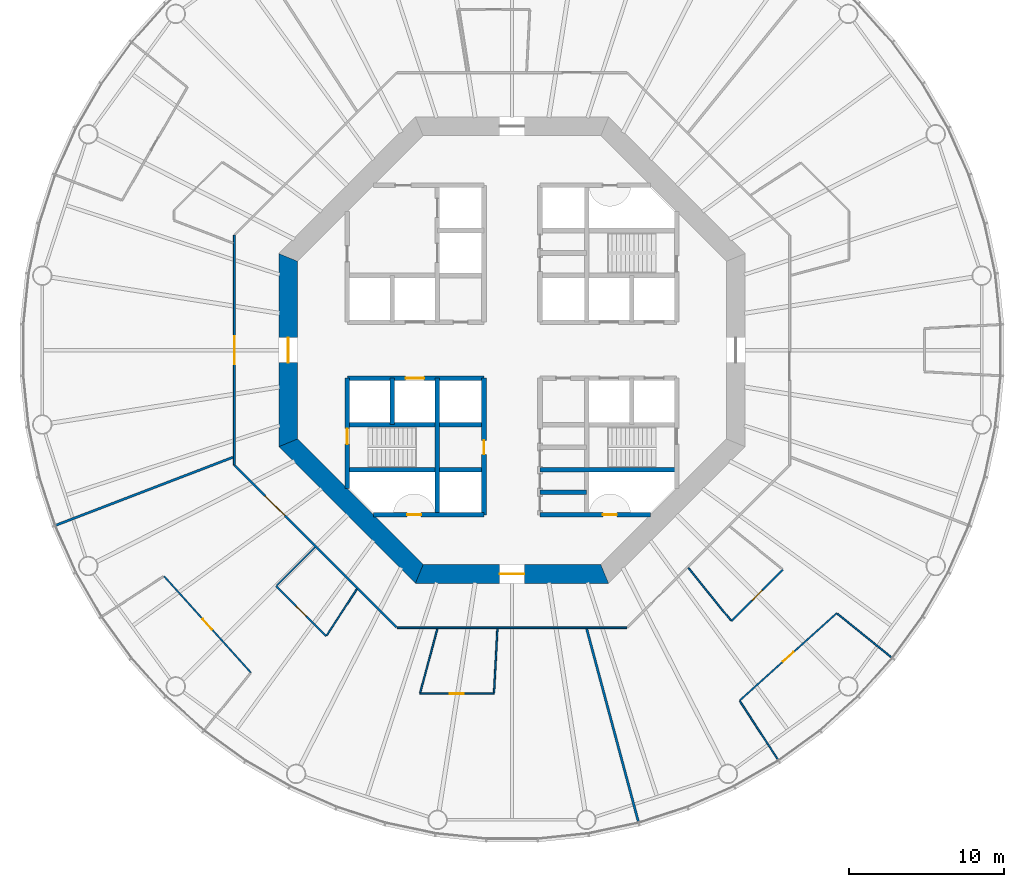
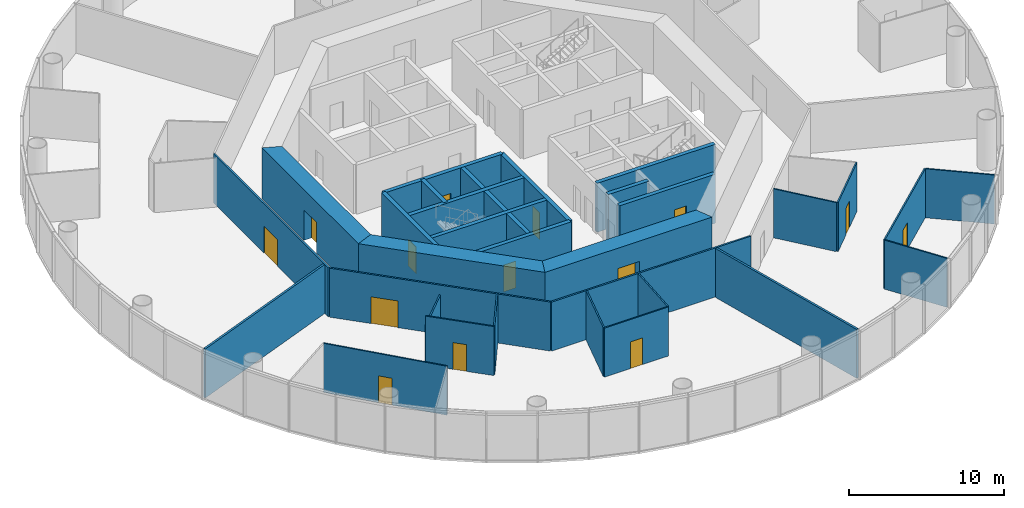
# One storey, part 3 of 13: 31 walls, 14 doors, 14 openings.
"""IFC4 building model written with IfcOpenShell, lengths in metres."""

from ifc_helpers import new_model, si_unit, direction, frame, frame_2d, origin, place, context, subcontext, project, spatial, polyline, rectangle, outline, extrude, material, layer, layer_set, type_object, element, fill, save


model = new_model("IFC4")

# Units and contexts
model_context = context("Model", 3, precision=1e-05, world=origin(), true_north=direction((0.0, 1.0)))
body_context = subcontext(model_context, "Body", "Model", "MODEL_VIEW")
ifc_project = project(units=[si_unit("LENGTHUNIT", "METRE"), si_unit("AREAUNIT", "SQUARE_METRE"), si_unit("VOLUMEUNIT", "CUBIC_METRE"), si_unit("PLANEANGLEUNIT", "RADIAN"), si_unit("MASSUNIT", "GRAM", prefix="KILO")], contexts=[model_context])

# Site, building, storey
site_placement = place(None, origin())
site = spatial("IfcSite", under=ifc_project, at=site_placement, CompositionType="ELEMENT")
building_placement = place(site_placement, origin())
building = spatial("IfcBuilding", under=site, at=building_placement, Name="Entoto Ring Tower", CompositionType="ELEMENT")
storey_placement = place(building_placement, frame((0.0, 0.0, 124.0)))
storey = spatial("IfcBuildingStorey", under=building, at=storey_placement, Name="L28", CompositionType="ELEMENT", Elevation=124.0)

# Wall, opening, door
ifc_material_1 = material(Name="Concrete C40/50", Category="concrete")
ifc_layer_1 = layer(ifc_material_1, 0.300048828125)
ifc_layer_set_1 = layer_set([ifc_layer_1], Name="Concrete C40/50")
wall_type_1 = type_object("IfcWallType", Name="Core enclosure wall 300 mm reinforced concrete", PredefinedType="SOLIDWALL", material=ifc_layer_set_1)
wall_1_placement = place(storey_placement, frame((88.199951171875, 69.39990234375, 0.0), z_axis=(0.0, 0.0, 1.0), x_axis=(0.0, 1.0, 0.0)))
wall_1 = element("IfcWall", 1, at=wall_1_placement, inside=storey, type_object=wall_type_1, Name="wall-L28-009", PredefinedType="SOLIDWALL", context=body_context, shape_type="SweptSolid", body=[
    extrude(rectangle(XDim=8.800048828125, YDim=0.300048828125, at=frame_2d((4.39990234375, 0.0))), origin(), (0.0, 0.0, 1.0), 3.85009765625),
])
opening_1_placement = place(wall_1_placement, frame((3.89990234375, 0.0, 0.0)))
opening_1 = element("IfcOpeningElement", 2, at=opening_1_placement, cuts=wall_1, Name="Opening K-57", PredefinedType="OPENING", context=body_context, shape_type="SweptSolid", body=[
    extrude(rectangle(XDim=0.89990234375, YDim=2.10009765625, at=frame_2d((0.449951171875, 1.050048828125))), frame((0.0, 0.16015625, 0.0), z_axis=(0.0, -1.0, 0.0), x_axis=(1.0, 0.0, 0.0)), (0.0, 0.0, 1.0), 0.320068359375),
])
ifc_material_2 = material(Name="Steel door leaf, fire rated", Category="steel")
ifc_layer_2 = layer(ifc_material_2, 0.050048828125)
ifc_layer_set_2 = layer_set([ifc_layer_2], Name="Steel door leaf, fire rated")
door_type_1 = type_object("IfcDoorType", Name="Core door 900 x 2100 single leaf", OperationType="NOTDEFINED", PredefinedType="DOOR", material=ifc_layer_set_2)
door_1_placement = place(opening_1_placement, origin())
door_1 = element("IfcDoor", 3, at=door_1_placement, inside=storey, type_object=door_type_1, Name="Door K-57", OperationType="SINGLE_SWING_RIGHT", OverallHeight=2.10009765625, OverallWidth=0.89990234375, PredefinedType="DOOR", context=body_context, shape_type="SweptSolid", body=[
    extrude(rectangle(XDim=0.89990234375, YDim=2.10009765625, at=frame_2d((0.449951171875, 1.050048828125))), frame((0.0, 0.02490234375, 0.0), z_axis=(0.0, -1.0, 0.0), x_axis=(1.0, 0.0, 0.0)), (0.0, 0.0, 1.0), 0.050048828125),
])
fill(opening_1, door_1)

# Walls
wall_2_placement = place(storey_placement, frame((85.199951171875, 69.39990234375, 0.0), z_axis=(0.0, 0.0, 1.0), x_axis=(0.0, 1.0, 0.0)))
element("IfcWall", 4, at=wall_2_placement, inside=storey, type_object=wall_type_1, Name="wall-L28-011", PredefinedType="SOLIDWALL", context=body_context, shape_type="SweptSolid", body=[
    extrude(rectangle(XDim=8.800048828125, YDim=0.300048828125, at=frame_2d((4.39990234375, 0.0))), origin(), (0.0, 0.0, 1.0), 3.85009765625),
])
wall_3_placement = place(storey_placement, frame((82.300048828125, 75.199951171875, 0.0), z_axis=(0.0, 0.0, 1.0), x_axis=(0.0, 1.0, 0.0)))
element("IfcWall", 5, at=wall_3_placement, inside=storey, type_object=wall_type_1, Name="wall-L28-013", PredefinedType="SOLIDWALL", context=body_context, shape_type="SweptSolid", body=[
    extrude(rectangle(XDim=3.0, YDim=0.300048828125, at=frame_2d((1.5, 0.0))), origin(), (0.0, 0.0, 1.0), 3.85009765625),
])

# Wall, opening, door
wall_4_placement = place(storey_placement, frame((79.39990234375, 71.083984375, 0.0), z_axis=(0.0, 0.0, 1.0), x_axis=(0.0, 1.0, 0.0)))
wall_4 = element("IfcWall", 6, at=wall_4_placement, inside=storey, type_object=wall_type_1, Name="wall-L28-015", PredefinedType="SOLIDWALL", context=body_context, shape_type="SweptSolid", body=[
    extrude(rectangle(XDim=7.115966796875, YDim=0.300048828125, at=frame_2d((3.55810546875, 0.0))), origin(), (0.0, 0.0, 1.0), 3.85009765625),
])
opening_2_placement = place(wall_4_placement, frame((2.8662109375, 0.0, 0.0)))
opening_2 = element("IfcOpeningElement", 7, at=opening_2_placement, cuts=wall_4, Name="Opening K-67", PredefinedType="OPENING", context=body_context, shape_type="SweptSolid", body=[
    extrude(rectangle(XDim=1.0, YDim=2.10009765625, at=frame_2d((0.5, 1.050048828125))), frame((0.0, 0.16015625, 0.0), z_axis=(0.0, -1.0, 0.0), x_axis=(1.0, 0.0, 0.0)), (0.0, 0.0, 1.0), 0.320068359375),
])
ifc_material_3 = material(Name="Steel door leaf, fire rated", Category="steel")
ifc_layer_3 = layer(ifc_material_3, 0.050048828125)
ifc_layer_set_3 = layer_set([ifc_layer_3], Name="Steel door leaf, fire rated")
door_type_2 = type_object("IfcDoorType", Name="Fire door FD60 1000 x 2100 single leaf", OperationType="NOTDEFINED", PredefinedType="DOOR", material=ifc_layer_set_3)
door_2_placement = place(opening_2_placement, frame((1.0, 0.0, 0.0), z_axis=(0.0, 0.0, 1.0), x_axis=(-1.0, 0.0, 0.0)))
door_2 = element("IfcDoor", 8, at=door_2_placement, inside=storey, type_object=door_type_2, Name="Door K-67", OperationType="SINGLE_SWING_LEFT", OverallHeight=2.10009765625, OverallWidth=1.0, PredefinedType="DOOR", context=body_context, shape_type="SweptSolid", body=[
    extrude(rectangle(XDim=1.0, YDim=2.10009765625, at=frame_2d((0.5, 1.050048828125))), frame((0.0, 0.02490234375, 0.0), z_axis=(0.0, -1.0, 0.0), x_axis=(1.0, 0.0, 0.0)), (0.0, 0.0, 1.0), 0.050048828125),
])
fill(opening_2, door_2)

wall_5_placement = place(storey_placement, frame((81.083984375, 69.39990234375, 0.0), z_axis=(0.0, 0.0, 1.0), x_axis=(1.0, 0.0, 0.0)))
wall_5 = element("IfcWall", 9, at=wall_5_placement, inside=storey, type_object=wall_type_1, Name="wall-L28-017", PredefinedType="SOLIDWALL", context=body_context, shape_type="SweptSolid", body=[
    extrude(rectangle(XDim=7.115966796875, YDim=0.300048828125, at=frame_2d((3.55810546875, 0.0))), origin(), (0.0, 0.0, 1.0), 3.85009765625),
])
opening_3_placement = place(wall_5_placement, frame((2.166015625, 0.0, 0.0)))
opening_3 = element("IfcOpeningElement", 10, at=opening_3_placement, cuts=wall_5, Name="Opening K-74", PredefinedType="OPENING", context=body_context, shape_type="SweptSolid", body=[
    extrude(rectangle(XDim=0.89990234375, YDim=2.10009765625, at=frame_2d((0.449951171875, 1.050048828125))), frame((0.0, 0.16015625, 0.0), z_axis=(0.0, -1.0, 0.0), x_axis=(1.0, 0.0, 0.0)), (0.0, 0.0, 1.0), 0.320068359375),
])
ifc_material_4 = material(Name="Steel door leaf, fire rated", Category="steel")
ifc_layer_4 = layer(ifc_material_4, 0.050048828125)
ifc_layer_set_4 = layer_set([ifc_layer_4], Name="Steel door leaf, fire rated")
door_type_3 = type_object("IfcDoorType", Name="Riser door FD60 900 x 2100 single leaf", OperationType="NOTDEFINED", PredefinedType="DOOR", material=ifc_layer_set_4)
door_3_placement = place(opening_3_placement, origin())
door_3 = element("IfcDoor", 11, at=door_3_placement, inside=storey, type_object=door_type_3, Name="Door K-74", OperationType="SINGLE_SWING_RIGHT", OverallHeight=2.10009765625, OverallWidth=0.89990234375, PredefinedType="DOOR", context=body_context, shape_type="SweptSolid", body=[
    extrude(rectangle(XDim=0.89990234375, YDim=2.10009765625, at=frame_2d((0.449951171875, 1.050048828125))), frame((0.0, 0.02490234375, 0.0), z_axis=(0.0, -1.0, 0.0), x_axis=(1.0, 0.0, 0.0)), (0.0, 0.0, 1.0), 0.050048828125),
])
fill(opening_3, door_3)

wall_6_placement = place(storey_placement, frame((91.800048828125, 69.39990234375, 0.0), z_axis=(0.0, 0.0, 1.0), x_axis=(1.0, 0.0, 0.0)))
wall_6 = element("IfcWall", 12, at=wall_6_placement, inside=storey, type_object=wall_type_1, Name="wall-L28-018", PredefinedType="SOLIDWALL", context=body_context, shape_type="SweptSolid", body=[
    extrude(rectangle(XDim=7.115966796875, YDim=0.300048828125, at=frame_2d((3.55810546875, 0.0))), origin(), (0.0, 0.0, 1.0), 3.85009765625),
])
opening_4_placement = place(wall_6_placement, frame((4.050048828125, 0.0, 0.0)))
opening_4 = element("IfcOpeningElement", 13, at=opening_4_placement, cuts=wall_6, Name="Opening K-75", PredefinedType="OPENING", context=body_context, shape_type="SweptSolid", body=[
    extrude(rectangle(XDim=0.89990234375, YDim=2.10009765625, at=frame_2d((0.449951171875, 1.050048828125))), frame((0.0, 0.16015625, 0.0), z_axis=(0.0, -1.0, 0.0), x_axis=(1.0, 0.0, 0.0)), (0.0, 0.0, 1.0), 0.320068359375),
])
door_4_placement = place(opening_4_placement, origin())
door_4 = element("IfcDoor", 14, at=door_4_placement, inside=storey, type_object=door_type_3, Name="Door K-75", OperationType="SINGLE_SWING_LEFT", OverallHeight=2.10009765625, OverallWidth=0.89990234375, PredefinedType="DOOR", context=body_context, shape_type="SweptSolid", body=[
    extrude(rectangle(XDim=0.89990234375, YDim=2.10009765625, at=frame_2d((0.449951171875, 1.050048828125))), frame((0.0, 0.02490234375, 0.0), z_axis=(0.0, -1.0, 0.0), x_axis=(1.0, 0.0, 0.0)), (0.0, 0.0, 1.0), 0.050048828125),
])
fill(opening_4, door_4)

# Walls
wall_7_placement = place(storey_placement, frame((91.800048828125, 70.85009765625, 0.0), z_axis=(0.0, 0.0, 1.0), x_axis=(1.0, 0.0, 0.0)))
element("IfcWall", 15, at=wall_7_placement, inside=storey, type_object=wall_type_1, Name="wall-L28-019", PredefinedType="SOLIDWALL", context=body_context, shape_type="SweptSolid", body=[
    extrude(rectangle(XDim=3.0, YDim=0.300048828125, at=frame_2d((1.5, 0.0))), origin(), (0.0, 0.0, 1.0), 3.85009765625),
])
for number, where, z_axis, x_axis, name in (
    (16, (79.39990234375, 72.300048828125, 0.0), (0.0, 0.0, 1.0), (1.0, 0.0, 0.0), "wall-L28-020"),
    (17, (91.800048828125, 72.300048828125, 0.0), (0.0, 0.0, 1.0), (1.0, 0.0, 0.0), "wall-L28-021"),
    (18, (79.39990234375, 75.199951171875, 0.0), (0.0, 0.0, 1.0), (1.0, 0.0, 0.0), "wall-L28-023"),
):
    element("IfcWall", number, at=place(storey_placement, frame(where, z_axis=z_axis, x_axis=x_axis)), inside=storey, type_object=wall_type_1, Name=name, PredefinedType="SOLIDWALL", context=body_context, shape_type="SweptSolid", body=[
        extrude(rectangle(XDim=8.800048828125, YDim=0.300048828125, at=frame_2d((4.39990234375, 0.0))), origin(), (0.0, 0.0, 1.0), 3.85009765625),
    ])

# Wall, opening, door
wall_8_placement = place(storey_placement, frame((79.39990234375, 78.199951171875, 0.0), z_axis=(0.0, 0.0, 1.0), x_axis=(1.0, 0.0, 0.0)))
wall_8 = element("IfcWall", 19, at=wall_8_placement, inside=storey, type_object=wall_type_1, Name="wall-L28-025", PredefinedType="SOLIDWALL", context=body_context, shape_type="SweptSolid", body=[
    extrude(rectangle(XDim=8.800048828125, YDim=0.300048828125, at=frame_2d((4.39990234375, 0.0))), origin(), (0.0, 0.0, 1.0), 3.85009765625),
])
opening_5_placement = place(wall_8_placement, frame((3.75, 0.0, 0.0)))
opening_5 = element("IfcOpeningElement", 20, at=opening_5_placement, cuts=wall_8, Name="Opening LD", PredefinedType="OPENING", context=body_context, shape_type="SweptSolid", body=[
    extrude(rectangle(XDim=1.199951171875, YDim=2.10009765625, at=frame_2d((0.60009765625, 1.050048828125))), frame((0.0, 0.16015625, 0.0), z_axis=(0.0, -1.0, 0.0), x_axis=(1.0, 0.0, 0.0)), (0.0, 0.0, 1.0), 0.320068359375),
])
ifc_material_5 = material(Name="Steel and glass door leaf", Category="steel")
ifc_layer_5 = layer(ifc_material_5, 0.050048828125)
ifc_layer_set_5 = layer_set([ifc_layer_5], Name="Steel and glass door leaf")
door_type_4 = type_object("IfcDoorType", Name="Landing door 1200 x 2100 sliding", OperationType="DOUBLE_DOOR_SLIDING", PredefinedType="DOOR", material=ifc_layer_set_5)
door_5_placement = place(opening_5_placement, origin())
door_5 = element("IfcDoor", 21, at=door_5_placement, inside=storey, type_object=door_type_4, Name="Landing door LB6-LR", OperationType="SLIDING_TO_RIGHT", OverallHeight=2.10009765625, OverallWidth=1.199951171875, PredefinedType="DOOR", context=body_context, shape_type="SweptSolid", body=[
    extrude(rectangle(XDim=1.199951171875, YDim=2.10009765625, at=frame_2d((0.60009765625, 1.050048828125))), frame((0.0, 0.02490234375, 0.0), z_axis=(0.0, -1.0, 0.0), x_axis=(1.0, 0.0, 0.0)), (0.0, 0.0, 1.0), 0.050048828125),
])
fill(opening_5, door_5)

ifc_material_6 = material(Name="Concrete C60/75", Category="concrete")
ifc_layer_6 = layer(ifc_material_6, 1.199951171875)
ifc_layer_set_6 = layer_set([ifc_layer_6], Name="Concrete C60/75")
wall_type_2 = type_object("IfcWallType", Name="Core shear wall 1200 mm reinforced concrete C60/75", PredefinedType="SHEAR", material=ifc_layer_set_6)
wall_9_placement = place(storey_placement, frame((75.60009765625, 85.964599609375, 0.0), z_axis=(0.0, 0.0, 1.0), x_axis=(0.0, -1.0, 0.0)))
wall_9 = element("IfcWall", 22, at=wall_9_placement, inside=storey, type_object=wall_type_2, Name="wall-L28-core-4", PredefinedType="SHEAR", context=body_context, shape_type="SweptSolid", body=[
    extrude(outline(polyline([(-0.24853515625, -0.60009765625), (12.177734375, -0.60009765625), (11.6806640625, 0.60009765625), (0.24853515625, 0.60009765625), (-0.24853515625, -0.60009765625)])), origin(), (0.0, 0.0, 1.0), 4.0),
])
opening_6_placement = place(wall_9_placement, frame((5.164794921875, 0.0, 0.0)))
opening_6 = element("IfcOpeningElement", 23, at=opening_6_placement, cuts=wall_9, Name="Opening K-03", PredefinedType="OPENING", context=body_context, shape_type="SweptSolid", body=[
    extrude(rectangle(XDim=1.60009765625, YDim=2.39990234375, at=frame_2d((0.800048828125, 1.199951171875))), frame((0.0, 0.60986328125, 0.0), z_axis=(0.0, -1.0, 0.0), x_axis=(1.0, 0.0, 0.0)), (0.0, 0.0, 1.0), 1.219970703125),
])
ifc_material_7 = material(Name="Steel door leaf, fire rated", Category="steel")
ifc_layer_7 = layer(ifc_material_7, 0.050048828125)
ifc_layer_set_7 = layer_set([ifc_layer_7], Name="Steel door leaf, fire rated")
door_type_5 = type_object("IfcDoorType", Name="Entrance door FD60 1600 x 2400 double leaf", OperationType="DOUBLE_DOOR_SINGLE_SWING", PredefinedType="DOOR", material=ifc_layer_set_7)
door_6_placement = place(opening_6_placement, origin())
door_6 = element("IfcDoor", 24, at=door_6_placement, inside=storey, type_object=door_type_5, Name="Entrance door K-03", OperationType="DOUBLE_DOOR_SINGLE_SWING", OverallHeight=2.39990234375, OverallWidth=1.60009765625, PredefinedType="DOOR", context=body_context, shape_type="SweptSolid", body=[
    extrude(rectangle(XDim=1.60009765625, YDim=2.39990234375, at=frame_2d((0.800048828125, 1.199951171875))), frame((0.0, 0.02490234375, 0.0), z_axis=(0.0, -1.0, 0.0), x_axis=(1.0, 0.0, 0.0)), (0.0, 0.0, 1.0), 0.050048828125),
])
fill(opening_6, door_6)

# Wall
wall_10_placement = place(storey_placement, frame((75.60009765625, 74.035400390625, 0.0), z_axis=(0.0, 0.0, 1.0), x_axis=(0.707106781187, -0.707106781187, 0.0)))
element("IfcWall", 25, at=wall_10_placement, inside=storey, type_object=wall_type_2, Name="wall-L28-core-5", PredefinedType="SHEAR", context=body_context, shape_type="SweptSolid", body=[
    extrude(outline(polyline([(-0.24853515625, -0.60009765625), (12.177734375, -0.60009765625), (11.6806640625, 0.60009765625), (0.24853515625, 0.60009765625), (-0.24853515625, -0.60009765625)])), origin(), (0.0, 0.0, 1.0), 4.0),
])

# Wall, opening, door
wall_11_placement = place(storey_placement, frame((84.035400390625, 65.60009765625, 0.0), z_axis=(0.0, 0.0, 1.0), x_axis=(1.0, 0.0, 0.0)))
wall_11 = element("IfcWall", 26, at=wall_11_placement, inside=storey, type_object=wall_type_2, Name="wall-L28-core-6", PredefinedType="SHEAR", context=body_context, shape_type="SweptSolid", body=[
    extrude(outline(polyline([(-0.24853515625, -0.60009765625), (12.177734375, -0.60009765625), (11.6806640625, 0.60009765625), (0.24853515625, 0.60009765625), (-0.24853515625, -0.60009765625)])), origin(), (0.0, 0.0, 1.0), 4.0),
])
opening_7_placement = place(wall_11_placement, frame((5.164794921875, 0.0, 0.0)))
opening_7 = element("IfcOpeningElement", 27, at=opening_7_placement, cuts=wall_11, Name="Opening K-04", PredefinedType="OPENING", context=body_context, shape_type="SweptSolid", body=[
    extrude(rectangle(XDim=1.60009765625, YDim=2.39990234375, at=frame_2d((0.800048828125, 1.199951171875))), frame((0.0, 0.60986328125, 0.0), z_axis=(0.0, -1.0, 0.0), x_axis=(1.0, 0.0, 0.0)), (0.0, 0.0, 1.0), 1.219970703125),
])
door_7_placement = place(opening_7_placement, origin())
door_7 = element("IfcDoor", 28, at=door_7_placement, inside=storey, type_object=door_type_5, Name="Entrance door K-04", OperationType="DOUBLE_DOOR_SINGLE_SWING", OverallHeight=2.39990234375, OverallWidth=1.60009765625, PredefinedType="DOOR", context=body_context, shape_type="SweptSolid", body=[
    extrude(rectangle(XDim=1.60009765625, YDim=2.39990234375, at=frame_2d((0.800048828125, 1.199951171875))), frame((0.0, 0.02490234375, 0.0), z_axis=(0.0, -1.0, 0.0), x_axis=(1.0, 0.0, 0.0)), (0.0, 0.0, 1.0), 0.050048828125),
])
fill(opening_7, door_7)

ifc_material_8 = material(Name="Fire-resisting plasterboard on steel studs", Category="steel")
ifc_layer_8 = layer(ifc_material_8, 0.125)
ifc_layer_set_8 = layer_set([ifc_layer_8], Name="Fire-resisting plasterboard on steel studs")
wall_type_3 = type_object("IfcWallType", Name="Corridor wall 125 mm one-hour plasterboard on steel studs", PredefinedType="PARTITIONING", material=ifc_layer_set_8)
wall_12_placement = place(storey_placement, frame((72.137451171875, 72.60107421875, 0.0), z_axis=(0.0, 0.0, 1.0), x_axis=(0.0, 1.0, 0.0)))
wall_12 = element("IfcWall", 29, at=wall_12_placement, inside=storey, type_object=wall_type_3, Name="partition-L28-001", PredefinedType="PARTITIONING", context=body_context, shape_type="SweptSolid", body=[
    extrude(rectangle(XDim=14.7978515625, YDim=0.125, at=frame_2d((7.39892578125, 0.0))), origin(), (0.0, 0.0, 1.0), 3.85009765625),
])
opening_8_placement = place(wall_12_placement, frame((6.498779296875, 0.0, 0.0)))
opening_8 = element("IfcOpeningElement", 30, at=opening_8_placement, cuts=wall_12, Name="Opening A11-D07", PredefinedType="OPENING", context=body_context, shape_type="SweptSolid", body=[
    extrude(rectangle(XDim=1.800048828125, YDim=2.10009765625, at=frame_2d((0.89990234375, 1.050048828125))), frame((0.0, 0.072509765625, 0.0), z_axis=(0.0, -1.0, 0.0), x_axis=(1.0, 0.0, 0.0)), (0.0, 0.0, 1.0), 0.14501953125),
])
ifc_material_9 = material(Name="Fire-resisting timber door set", Category="wood")
door_type_6 = type_object("IfcDoorType", Name="Door 1800 x 2100 double leaf FD30S fire door", OperationType="DOUBLE_DOOR_SINGLE_SWING", PredefinedType="DOOR", material=ifc_material_9)
door_8_placement = place(opening_8_placement, origin())
door_8 = element("IfcDoor", 31, at=door_8_placement, inside=storey, type_object=door_type_6, Name="Door A11-D07", OperationType="DOUBLE_DOOR_SINGLE_SWING", OverallHeight=2.10009765625, OverallWidth=1.800048828125, PredefinedType="DOOR", context=body_context, shape_type="SweptSolid", body=[
    extrude(rectangle(XDim=1.800048828125, YDim=2.10009765625, at=frame_2d((0.89990234375, 1.050048828125))), frame((0.0, 0.02490234375, 0.0), z_axis=(0.0, -1.0, 0.0), x_axis=(1.0, 0.0, 0.0)), (0.0, 0.0, 1.0), 0.050048828125),
])
fill(opening_8, door_8)

# Wall
wall_13_placement = place(storey_placement, frame((82.60107421875, 62.137451171875, 0.0), z_axis=(0.0, 0.0, 1.0), x_axis=(1.0, 0.0, 0.0)))
element("IfcWall", 32, at=wall_13_placement, inside=storey, type_object=wall_type_3, Name="partition-L28-002", PredefinedType="PARTITIONING", context=body_context, shape_type="SweptSolid", body=[
    extrude(rectangle(XDim=14.7978515625, YDim=0.125, at=frame_2d((7.39892578125, 0.0))), origin(), (0.0, 0.0, 1.0), 3.85009765625),
])

# Wall, opening, door
wall_14_placement = place(storey_placement, frame((82.570068359375, 62.168701171875, 0.0), z_axis=(0.0, 0.0, 1.0), x_axis=(-0.707106781187, 0.707106781187, 0.0)))
wall_14 = element("IfcWall", 33, at=wall_14_placement, inside=storey, type_object=wall_type_3, Name="partition-L28-006", PredefinedType="PARTITIONING", context=body_context, shape_type="SweptSolid", body=[
    extrude(rectangle(XDim=14.709716796875, YDim=0.125, at=frame_2d((7.35498046875, 0.0))), origin(), (0.0, 0.0, 1.0), 3.85009765625),
])
opening_9_placement = place(wall_14_placement, frame((10.154296875, 0.0, 0.0)))
opening_9 = element("IfcOpeningElement", 34, at=opening_9_placement, cuts=wall_14, Name="Opening A11-D10", PredefinedType="OPENING", context=body_context, shape_type="SweptSolid", body=[
    extrude(rectangle(XDim=1.800048828125, YDim=2.10009765625, at=frame_2d((0.89990234375, 1.050048828125))), frame((0.0, 0.072509765625, 0.0), z_axis=(0.0, -1.0, 0.0), x_axis=(1.0, 0.0, 0.0)), (0.0, 0.0, 1.0), 0.14501953125),
])
door_9_placement = place(opening_9_placement, origin())
door_9 = element("IfcDoor", 35, at=door_9_placement, inside=storey, type_object=door_type_6, Name="Door A11-D10", OperationType="DOUBLE_DOOR_SINGLE_SWING", OverallHeight=2.10009765625, OverallWidth=1.800048828125, PredefinedType="DOOR", context=body_context, shape_type="SweptSolid", body=[
    extrude(rectangle(XDim=1.800048828125, YDim=2.10009765625, at=frame_2d((0.89990234375, 1.050048828125))), frame((0.0, 0.02490234375, 0.0), z_axis=(0.0, -1.0, 0.0), x_axis=(1.0, 0.0, 0.0)), (0.0, 0.0, 1.0), 0.050048828125),
])
fill(opening_9, door_9)

ifc_material_10 = material(Name="Plasterboard on steel studs", Category="steel")
ifc_layer_9 = layer(ifc_material_10, 0.10009765625)
ifc_layer_set_9 = layer_set([ifc_layer_9], Name="Plasterboard on steel studs")
wall_type_4 = type_object("IfcWallType", Name="Partition 100 mm plasterboard on steel studs", PredefinedType="PARTITIONING", material=ifc_layer_set_9)
wall_15_placement = place(storey_placement, frame((104.645263671875, 57.447998046875, 0.0), z_axis=(0.0, 0.0, 1.0), x_axis=(0.7431368482, 0.669139465916, 0.0)))
wall_15 = element("IfcWall", 36, at=wall_15_placement, inside=storey, type_object=wall_type_4, Name="partition-L28-014", PredefinedType="PARTITIONING", context=body_context, shape_type="SweptSolid", body=[
    extrude(rectangle(XDim=8.413330078125, YDim=0.10009765625, at=frame_2d((4.20654296875, 0.0))), origin(), (0.0, 0.0, 1.0), 3.85009765625),
])
opening_10_placement = place(wall_15_placement, frame((3.756591796875, 0.0, 0.0)))
opening_10 = element("IfcOpeningElement", 37, at=opening_10_placement, cuts=wall_15, Name="Opening A11-D16", PredefinedType="OPENING", context=body_context, shape_type="SweptSolid", body=[
    extrude(rectangle(XDim=0.89990234375, YDim=2.10009765625, at=frame_2d((0.449951171875, 1.050048828125))), frame((0.0, 0.06005859375, 0.0), z_axis=(0.0, -1.0, 0.0), x_axis=(1.0, 0.0, 0.0)), (0.0, 0.0, 1.0), 0.1201171875),
])
ifc_material_11 = material(Name="Veneered timber door leaf in timber frame", Category="wood")
door_type_7 = type_object("IfcDoorType", Name="Door 900 x 2100 single leaf timber veneer", OperationType="NOTDEFINED", PredefinedType="DOOR", material=ifc_material_11)
door_10_placement = place(opening_10_placement, frame((0.89990234375, 0.0, 0.0), z_axis=(0.0, 0.0, 1.0), x_axis=(-1.0, 0.0, 0.0)))
door_10 = element("IfcDoor", 38, at=door_10_placement, inside=storey, type_object=door_type_7, Name="Door A11-D16", OperationType="SINGLE_SWING_RIGHT", OverallHeight=2.10009765625, OverallWidth=0.89990234375, PredefinedType="DOOR", context=body_context, shape_type="SweptSolid", body=[
    extrude(rectangle(XDim=0.89990234375, YDim=2.10009765625, at=frame_2d((0.449951171875, 1.050048828125))), frame((0.0, 0.02490234375, 0.0), z_axis=(0.0, -1.0, 0.0), x_axis=(1.0, 0.0, 0.0)), (0.0, 0.0, 1.0), 0.050048828125),
])
fill(opening_10, door_10)

wall_16_placement = place(storey_placement, frame((73.197021484375, 59.250244140625, 0.0), z_axis=(0.0, 0.0, 1.0), x_axis=(-0.669137488158, 0.74313862902, 0.0)))
wall_16 = element("IfcWall", 39, at=wall_16_placement, inside=storey, type_object=wall_type_4, Name="partition-L28-016", PredefinedType="PARTITIONING", context=body_context, shape_type="SweptSolid", body=[
    extrude(rectangle(XDim=8.353515625, YDim=0.10009765625, at=frame_2d((4.1767578125, 0.0))), origin(), (0.0, 0.0, 1.0), 3.85009765625),
])
opening_11_placement = place(wall_16_placement, frame((3.726806640625, 0.0, 0.0)))
opening_11 = element("IfcOpeningElement", 40, at=opening_11_placement, cuts=wall_16, Name="Opening A11-D13", PredefinedType="OPENING", context=body_context, shape_type="SweptSolid", body=[
    extrude(rectangle(XDim=0.89990234375, YDim=2.10009765625, at=frame_2d((0.449951171875, 1.050048828125))), frame((0.0, 0.06005859375, 0.0), z_axis=(0.0, -1.0, 0.0), x_axis=(1.0, 0.0, 0.0)), (0.0, 0.0, 1.0), 0.1201171875),
])
door_11_placement = place(opening_11_placement, origin())
door_11 = element("IfcDoor", 41, at=door_11_placement, inside=storey, type_object=door_type_7, Name="Door A11-D13", OperationType="SINGLE_SWING_RIGHT", OverallHeight=2.10009765625, OverallWidth=0.89990234375, PredefinedType="DOOR", context=body_context, shape_type="SweptSolid", body=[
    extrude(rectangle(XDim=0.89990234375, YDim=2.10009765625, at=frame_2d((0.449951171875, 1.050048828125))), frame((0.0, 0.02490234375, 0.0), z_axis=(0.0, -1.0, 0.0), x_axis=(1.0, 0.0, 0.0)), (0.0, 0.0, 1.0), 0.050048828125),
])
fill(opening_11, door_11)

wall_17_placement = place(storey_placement, frame((84.07763671875, 57.8974609375, 0.0), z_axis=(0.0, 0.0, 1.0), x_axis=(1.0, 0.0, 0.0)))
wall_17 = element("IfcWall", 42, at=wall_17_placement, inside=storey, type_object=wall_type_4, Name="partition-L28-022", PredefinedType="PARTITIONING", context=body_context, shape_type="SweptSolid", body=[
    extrude(rectangle(XDim=4.76416015625, YDim=0.10009765625, at=frame_2d((2.382080078125, 0.0))), origin(), (0.0, 0.0, 1.0), 3.85009765625),
])
opening_12_placement = place(wall_17_placement, frame((1.931884765625, 0.0, 0.0)))
opening_12 = element("IfcOpeningElement", 43, at=opening_12_placement, cuts=wall_17, Name="Opening A11-D12", PredefinedType="OPENING", context=body_context, shape_type="SweptSolid", body=[
    extrude(rectangle(XDim=0.89990234375, YDim=2.10009765625, at=frame_2d((0.449951171875, 1.050048828125))), frame((0.0, 0.06005859375, 0.0), z_axis=(0.0, -1.0, 0.0), x_axis=(1.0, 0.0, 0.0)), (0.0, 0.0, 1.0), 0.1201171875),
])
door_12_placement = place(opening_12_placement, origin())
door_12 = element("IfcDoor", 44, at=door_12_placement, inside=storey, type_object=door_type_7, Name="Door A11-D12", OperationType="SINGLE_SWING_LEFT", OverallHeight=2.10009765625, OverallWidth=0.89990234375, PredefinedType="DOOR", context=body_context, shape_type="SweptSolid", body=[
    extrude(rectangle(XDim=0.89990234375, YDim=2.10009765625, at=frame_2d((0.449951171875, 1.050048828125))), frame((0.0, 0.02490234375, 0.0), z_axis=(0.0, -1.0, 0.0), x_axis=(1.0, 0.0, 0.0)), (0.0, 0.0, 1.0), 0.050048828125),
])
fill(opening_12, door_12)

wall_18_placement = place(storey_placement, frame((104.119140625, 62.564453125, 0.0), z_axis=(0.0, 0.0, 1.0), x_axis=(0.707106781187, 0.707106781187, 0.0)))
wall_18 = element("IfcWall", 45, at=wall_18_placement, inside=storey, type_object=wall_type_4, Name="partition-L28-025", PredefinedType="PARTITIONING", context=body_context, shape_type="SweptSolid", body=[
    extrude(rectangle(XDim=4.690185546875, YDim=0.10009765625, at=frame_2d((2.34521484375, 0.0))), origin(), (0.0, 0.0, 1.0), 3.85009765625),
])
opening_13_placement = place(wall_18_placement, frame((1.89501953125, 0.0, 0.0)))
opening_13 = element("IfcOpeningElement", 46, at=opening_13_placement, cuts=wall_18, Name="Opening A11-D15", PredefinedType="OPENING", context=body_context, shape_type="SweptSolid", body=[
    extrude(rectangle(XDim=0.89990234375, YDim=2.10009765625, at=frame_2d((0.449951171875, 1.050048828125))), frame((0.0, 0.06005859375, 0.0), z_axis=(0.0, -1.0, 0.0), x_axis=(1.0, 0.0, 0.0)), (0.0, 0.0, 1.0), 0.1201171875),
])
door_13_placement = place(opening_13_placement, origin())
door_13 = element("IfcDoor", 47, at=door_13_placement, inside=storey, type_object=door_type_7, Name="Door A11-D15", OperationType="SINGLE_SWING_LEFT", OverallHeight=2.10009765625, OverallWidth=0.89990234375, PredefinedType="DOOR", context=body_context, shape_type="SweptSolid", body=[
    extrude(rectangle(XDim=0.89990234375, YDim=2.10009765625, at=frame_2d((0.449951171875, 1.050048828125))), frame((0.0, 0.02490234375, 0.0), z_axis=(0.0, -1.0, 0.0), x_axis=(1.0, 0.0, 0.0)), (0.0, 0.0, 1.0), 0.050048828125),
])
fill(opening_13, door_13)

wall_19_placement = place(storey_placement, frame((78.0439453125, 61.58935546875, 0.0), z_axis=(0.0, 0.0, 1.0), x_axis=(-0.707106781187, 0.707106781187, 0.0)))
wall_19 = element("IfcWall", 48, at=wall_19_placement, inside=storey, type_object=wall_type_4, Name="partition-L28-027", PredefinedType="PARTITIONING", context=body_context, shape_type="SweptSolid", body=[
    extrude(rectangle(XDim=4.56396484375, YDim=0.10009765625, at=frame_2d((2.281982421875, 0.0))), origin(), (0.0, 0.0, 1.0), 3.85009765625),
])
opening_14_placement = place(wall_19_placement, frame((1.83203125, 0.0, 0.0)))
opening_14 = element("IfcOpeningElement", 49, at=opening_14_placement, cuts=wall_19, Name="Opening A11-D11", PredefinedType="OPENING", context=body_context, shape_type="SweptSolid", body=[
    extrude(rectangle(XDim=0.89990234375, YDim=2.10009765625, at=frame_2d((0.449951171875, 1.050048828125))), frame((0.0, 0.06005859375, 0.0), z_axis=(0.0, -1.0, 0.0), x_axis=(1.0, 0.0, 0.0)), (0.0, 0.0, 1.0), 0.1201171875),
])
door_14_placement = place(opening_14_placement, frame((0.89990234375, 0.0, 0.0), z_axis=(0.0, 0.0, 1.0), x_axis=(-1.0, 0.0, 0.0)))
door_14 = element("IfcDoor", 50, at=door_14_placement, inside=storey, type_object=door_type_7, Name="Door A11-D11", OperationType="SINGLE_SWING_RIGHT", OverallHeight=2.10009765625, OverallWidth=0.89990234375, PredefinedType="DOOR", context=body_context, shape_type="SweptSolid", body=[
    extrude(rectangle(XDim=0.89990234375, YDim=2.10009765625, at=frame_2d((0.449951171875, 1.050048828125))), frame((0.0, 0.02490234375, 0.0), z_axis=(0.0, -1.0, 0.0), x_axis=(1.0, 0.0, 0.0)), (0.0, 0.0, 1.0), 0.050048828125),
])
fill(opening_14, door_14)

# Walls
for number, where, z_axis, x_axis, name in (
    (51, (114.43359375, 60.214111328125, 0.0), (0.0, 0.0, 1.0), (-0.777166543981, 0.629294972899, 0.0), "partition-L28-030"),
    (52, (107.12353515625, 53.632080078125, 0.0), (0.0, 0.0, 1.0), (-0.544658462499, 0.83865795127, 0.0), "partition-L28-031"),
):
    element("IfcWall", number, at=place(storey_placement, frame(where, z_axis=z_axis, x_axis=x_axis)), inside=storey, type_object=wall_type_4, Name=name, PredefinedType="PARTITIONING", context=body_context, shape_type="SweptSolid", body=[
        extrude(rectangle(XDim=4.500732421875, YDim=0.10009765625, at=frame_2d((2.25048828125, 0.0))), origin(), (0.0, 0.0, 1.0), 3.85009765625),
    ])
wall_20_placement = place(storey_placement, frame((104.083984375, 62.607421875, 0.0), z_axis=(0.0, 0.0, 1.0), x_axis=(-0.629275703713, 0.777182146422, 0.0)))
element("IfcWall", 53, at=wall_20_placement, inside=storey, type_object=wall_type_4, Name="partition-L28-032", PredefinedType="PARTITIONING", context=body_context, shape_type="SweptSolid", body=[
    extrude(rectangle(XDim=4.35107421875, YDim=0.10009765625, at=frame_2d((2.175537109375, 0.0))), origin(), (0.0, 0.0, 1.0), 3.85009765625),
])
wall_21_placement = place(storey_placement, frame((84.094482421875, 57.960205078125, 0.0), z_axis=(0.0, 0.0, 1.0), x_axis=(0.258814629035, 0.96592700956, 0.0)))
element("IfcWall", 54, at=wall_21_placement, inside=storey, type_object=wall_type_4, Name="partition-L28-034", PredefinedType="PARTITIONING", context=body_context, shape_type="SweptSolid", body=[
    extrude(rectangle(XDim=4.246826171875, YDim=0.10009765625, at=frame_2d((2.12353515625, 0.0))), origin(), (0.0, 0.0, 1.0), 3.85009765625),
])
wall_22_placement = place(storey_placement, frame((88.84423828125, 57.947509765625, 0.0), z_axis=(0.0, 0.0, 1.0), x_axis=(0.052366497942, 0.998627933664, 0.0)))
element("IfcWall", 55, at=wall_22_placement, inside=storey, type_object=wall_type_4, Name="partition-L28-037", PredefinedType="PARTITIONING", context=body_context, shape_type="SweptSolid", body=[
    extrude(rectangle(XDim=4.130615234375, YDim=0.10009765625, at=frame_2d((2.0654296875, 0.0))), origin(), (0.0, 0.0, 1.0), 3.85009765625),
])
wall_23_placement = place(storey_placement, frame((78.077392578125, 61.64111328125, 0.0), z_axis=(0.0, 0.0, 1.0), x_axis=(0.544643087082, 0.838667936489, 0.0)))
element("IfcWall", 56, at=wall_23_placement, inside=storey, type_object=wall_type_4, Name="partition-L28-044", PredefinedType="PARTITIONING", context=body_context, shape_type="SweptSolid", body=[
    extrude(rectangle(XDim=3.5546875, YDim=0.10009765625, at=frame_2d((1.77734375, 0.0))), origin(), (0.0, 0.0, 1.0), 3.85009765625),
])
ifc_material_12 = material(Name="Plasterboard on steel studs", Category="steel")
ifc_layer_10 = layer(ifc_material_12, 0.10009765625)
ifc_layer_set_10 = layer_set([ifc_layer_10], Name="Plasterboard on steel studs")
wall_type_5 = type_object("IfcWallType", Name="Partition 100 mm plasterboard on steel studs, 3097 mm high", PredefinedType="PARTITIONING", material=ifc_layer_set_10)
wall_24_placement = place(storey_placement, frame((74.85205078125, 64.85205078125, 0.0), z_axis=(0.0, 0.0, 1.0), x_axis=(0.707106781187, 0.707106781187, 0.0)))
element("IfcWall", 57, at=wall_24_placement, inside=storey, type_object=wall_type_5, Name="partition-L28-045", PredefinedType="PARTITIONING", context=body_context, shape_type="SweptSolid", body=[
    extrude(rectangle(XDim=3.497314453125, YDim=0.10009765625, at=frame_2d((1.74853515625, 0.0))), origin(), (0.0, 0.0, 1.0), 3.096923828125),
])
ifc_material_13 = material(Name="Fire-resisting acoustic plasterboard on steel studs", Category="steel")
ifc_layer_11 = layer(ifc_material_13, 0.14990234375)
ifc_layer_set_11 = layer_set([ifc_layer_11], Name="Fire-resisting acoustic plasterboard on steel studs")
wall_type_6 = type_object("IfcWallType", Name="Party wall 150 mm one-hour acoustic plasterboard on steel studs", PredefinedType="PARTITIONING", material=ifc_layer_set_11)
wall_25_placement = place(storey_placement, frame((98.13720703125, 49.63134765625, 0.0), z_axis=(0.0, 0.0, 1.0), x_axis=(-0.258820206775, 0.965925515019, 0.0)))
element("IfcWall", 58, at=wall_25_placement, inside=storey, type_object=wall_type_6, Name="partition-L28-011", PredefinedType="PARTITIONING", context=body_context, shape_type="SweptSolid", body=[
    extrude(rectangle(XDim=12.862548828125, YDim=0.14990234375, at=frame_2d((6.43115234375, 0.0))), origin(), (0.0, 0.0, 1.0), 3.85009765625),
])
wall_26_placement = place(storey_placement, frame((60.648193359375, 68.73291015625, 0.0), z_axis=(0.0, 0.0, 1.0), x_axis=(0.933583979108, 0.35835869454, 0.0)))
element("IfcWall", 59, at=wall_26_placement, inside=storey, type_object=wall_type_6, Name="partition-L28-012", PredefinedType="PARTITIONING", context=body_context, shape_type="SweptSolid", body=[
    extrude(rectangle(XDim=12.211181640625, YDim=0.14990234375, at=frame_2d((6.10546875, 0.0))), origin(), (0.0, 0.0, 1.0), 3.85009765625),
])

save(model, "model.ifc")
